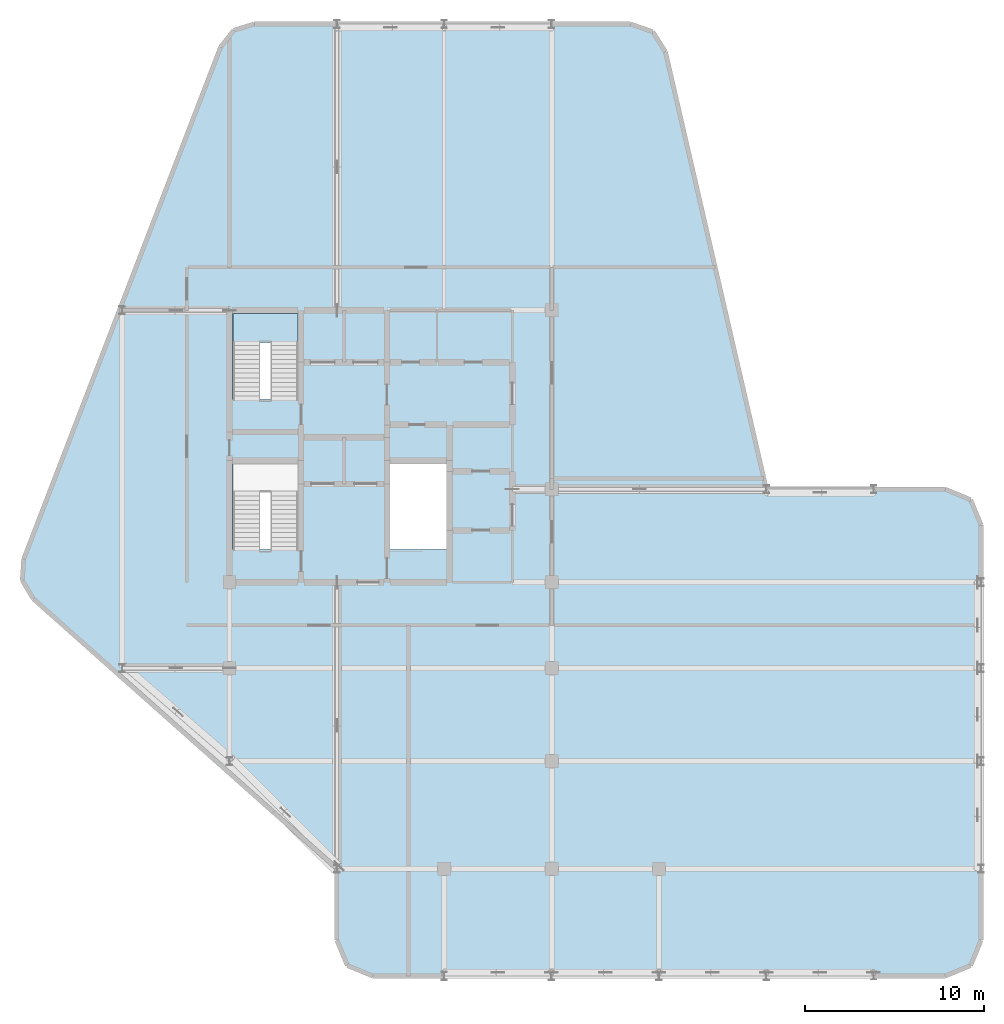
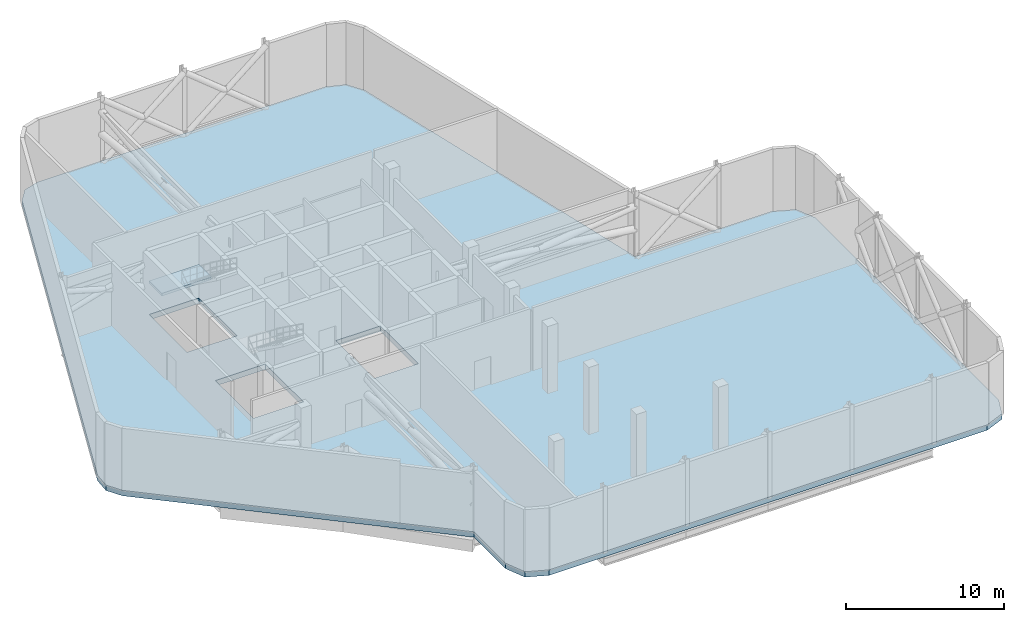
# One storey, part 7 of 12: 2 slabs, 1 element without a shape of its own.
"""IFC4 building model written with IfcOpenShell, lengths in metres."""

from ifc_helpers import new_model, si_unit, direction, frame, origin, place, context, subcontext, project, spatial, polyline, outline, extrude, material, layer, layer_set, type_object, element, aggregate, save


model = new_model("IFC4")

# Units and contexts
model_context = context("Model", 3, precision=1e-05, world=origin(), true_north=direction((0.0, 1.0)))
body_context = subcontext(model_context, "Body", "Model", "MODEL_VIEW")
ifc_project = project(units=[si_unit("LENGTHUNIT", "METRE"), si_unit("AREAUNIT", "SQUARE_METRE"), si_unit("VOLUMEUNIT", "CUBIC_METRE"), si_unit("PLANEANGLEUNIT", "RADIAN"), si_unit("MASSUNIT", "GRAM", prefix="KILO")], contexts=[model_context])

# Site, building, storey
site_placement = place(None, origin())
site = spatial("IfcSite", under=ifc_project, at=site_placement, CompositionType="ELEMENT")
building_placement = place(site_placement, origin())
building = spatial("IfcBuilding", under=site, at=building_placement, Name="Keshet Zoharim Tower", CompositionType="ELEMENT")
storey_placement = place(building_placement, frame((0.0, 0.0, 237.60009765625)))
storey = spatial("IfcBuildingStorey", under=building, at=storey_placement, Name="L59", CompositionType="ELEMENT", Elevation=237.60009765625)

# Stair, slab
ifc_material_1 = material(Name="Concrete C50/60", Category="concrete")
stair_type = type_object("IfcStairType", Name="STR-EXIT-135", PredefinedType="HALF_TURN_STAIR", material=ifc_material_1)
stair_placement = place(storey_placement, origin())
stair = element("IfcStair", 1, at=stair_placement, inside=storey, type_object=stair_type, Name="L59 Enclosed Exit Stair ST-02", PredefinedType="HALF_TURN_STAIR")
ifc_layer_1 = layer(ifc_material_1, 0.199951171875)
ifc_layer_set_1 = layer_set([ifc_layer_1], Name="Concrete C50/60")
slab_type_1 = type_object("IfcSlabType", Name="SLB-LND-200", PredefinedType="LANDING", material=ifc_layer_set_1)
slab_1_placement = place(storey_placement, frame((0.0, 0.0, 2.39990234375)))
slab_1 = element("IfcSlab", 2, at=slab_1_placement, type_object=slab_type_1, Name="ST-02 landing 1", PredefinedType="LANDING", context=body_context, shape_type="SweptSolid", body=[
    extrude(outline(polyline([(15.179931640625, 36.114013671875), (18.820068359375, 36.114013671875), (18.820068359375, 37.719970703125), (15.179931640625, 37.719970703125), (15.179931640625, 36.114013671875)])), origin(), (0.0, 0.0, 1.0), 0.199951171875),
])
aggregate(stair, [slab_1])

# Slab
ifc_material_2 = material(Name="Concrete C60/75", Category="concrete")
ifc_layer_2 = layer(ifc_material_2, 0.419921875)
ifc_layer_set_2 = layer_set([ifc_layer_2], Name="Concrete C60/75")
slab_type_2 = type_object("IfcSlabType", Name="SLB-XFER-350", PredefinedType="FLOOR", material=ifc_layer_set_2)
slab_2_placement = place(storey_placement, frame((0.0, 0.0, -0.420166015625)))
element("IfcSlab", 3, at=slab_2_placement, inside=storey, type_object=slab_type_2, Name="L59 Structural Floor Slab 1", PredefinedType="FLOOR", context=body_context, shape_type="SweptSolid", body=[
    extrude(outline(polyline([(55.0, 27.89990234375), (56.4140625, 27.31396484375), (57.0, 25.89990234375), (57.0, 2.699951171875), (56.4140625, 1.285888671875), (55.0, 0.699951171875), (23.0, 0.699951171875), (21.5859375, 1.285888671875), (21.0, 2.699951171875), (21.0, 6.699951171875), (4.034912109375, 21.780029296875), (3.419921875, 22.802001953125), (3.4970703125, 23.992919921875), (14.507080078125, 52.617919921875), (15.240966796875, 53.549072265625), (16.3740234375, 53.89990234375), (37.408935546875, 53.89990234375), (38.654052734375, 53.465087890625), (39.35791015625, 52.35009765625), (45.0, 27.89990234375), (55.0, 27.89990234375)]), holes=[polyline([(15.179931640625, 24.52001953125), (18.820068359375, 24.52001953125), (18.820068359375, 29.320068359375), (15.179931640625, 29.320068359375), (15.179931640625, 24.52001953125)]), polyline([(15.179931640625, 32.919921875), (18.820068359375, 32.919921875), (18.820068359375, 37.719970703125), (15.179931640625, 37.719970703125), (15.179931640625, 32.919921875)]), polyline([(23.97998046875, 24.52001953125), (27.219970703125, 24.52001953125), (27.219970703125, 29.320068359375), (23.97998046875, 29.320068359375), (23.97998046875, 24.52001953125)])]), origin(), (0.0, 0.0, 1.0), 0.420166015625),
])

save(model, "model.ifc")
